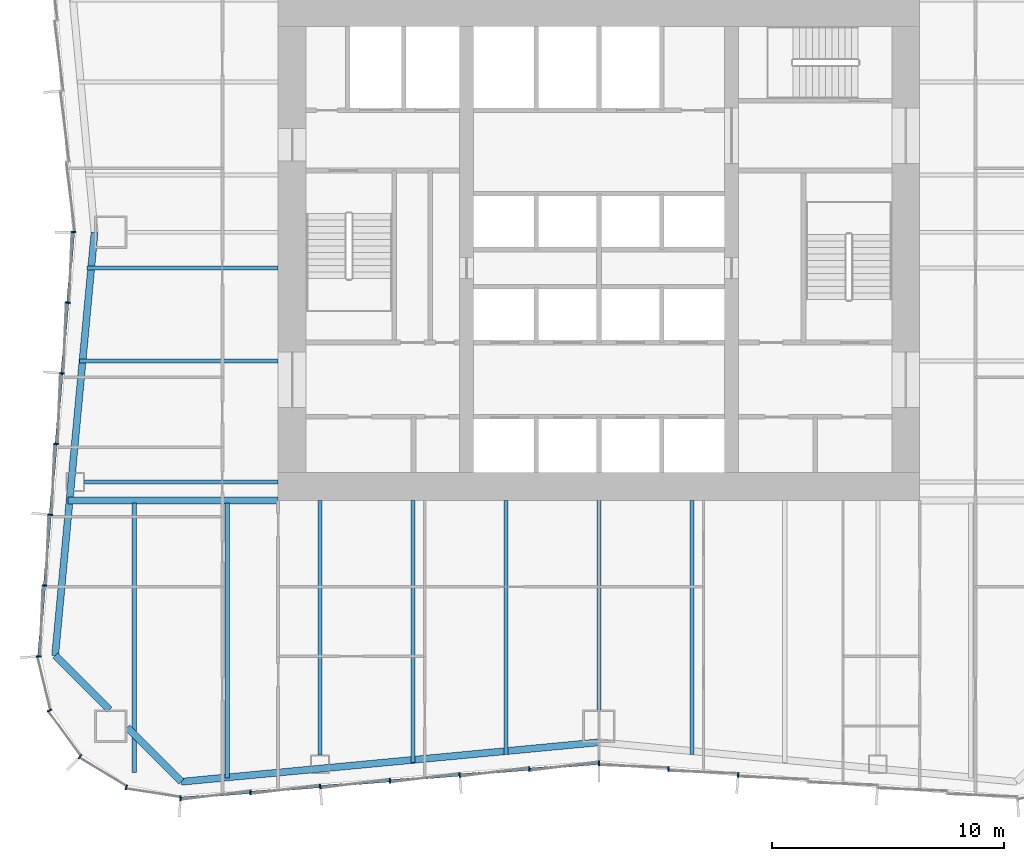
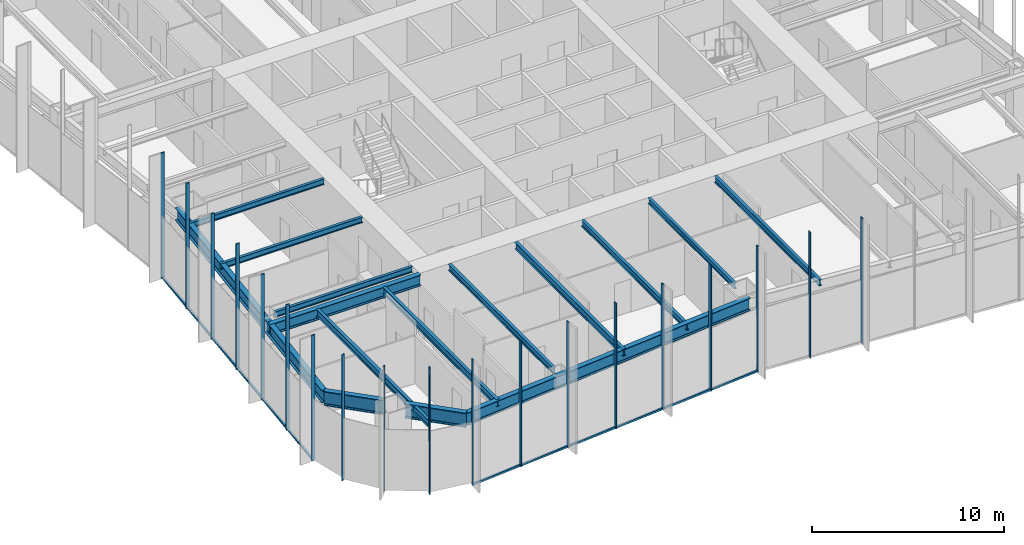
# One storey, part 2 of 13: 21 members, 15 beams, 3 elements without a shape of their own.
"""IFC4 building model written with IfcOpenShell, lengths in metres."""

import ifcopenshell
import ifcopenshell.guid

model = None  # the IFC model being written
_history = None  # IfcOwnerHistory: only IFC2X3 demands one
_inside = {}  # id of a spatial element -> (the spatial element, [elements in it])
_under = {}  # id of a project, library or spatial element -> (it, [spatial elements below it])
_declared = {}  # id of a project -> (the project, [libraries it declares])
_typed = {}  # id of a type object -> (the type object, [elements of that type])
_made_of = {}  # id of a material, layer set ... -> (it, [elements and type objects made of it])


def new_model(schema):
    """Start an empty IFC model of exactly this schema.

    Asked for "IFC4X3", IfcOpenShell would pick the latest addendum, in which some entities
    have other attributes; the version numbers below select the first issue.
    IFC2X3 requires an IfcOwnerHistory on every rooted entity: one is made here for all.
    """
    global model, _history
    if schema == "IFC4X3":
        model = ifcopenshell.file(schema_version=(4, 3, 0, 0))
    else:
        model = ifcopenshell.file(schema=schema)
    _inside.clear()
    _under.clear()
    _declared.clear()
    _typed.clear()
    _made_of.clear()
    _history = None
    if model.schema == "IFC2X3":
        org = make("IfcOrganization", Name="unknown")
        user = make(
            "IfcPersonAndOrganization",
            ThePerson=make("IfcPerson", FamilyName="unknown"),
            TheOrganization=org,
        )
        app = make(
            "IfcApplication",
            ApplicationDeveloper=org,
            Version="unknown",
            ApplicationFullName="unknown",
            ApplicationIdentifier="unknown",
        )
        _history = make(
            "IfcOwnerHistory",
            OwningUser=user,
            OwningApplication=app,
            ChangeAction="ADDED",
            CreationDate=0,
        )
    return model


def make(cls, **values):
    """One entity of the class cls with the attributes given. An attribute that is None is left unset."""
    return model.create_entity(
        cls, **{name: value for name, value in values.items() if value is not None}
    )


def rooted(cls, **values):
    """An entity with a GlobalId (a new one), such as an element, a storey or a relation."""
    return make(cls, GlobalId=ifcopenshell.guid.new(), OwnerHistory=_history, **values)


def si_unit(unit_type, name, prefix=None):
    """IfcSIUnit, for example si_unit("LENGTHUNIT", "METRE", prefix="MILLI")."""
    return make("IfcSIUnit", UnitType=unit_type, Prefix=prefix, Name=name)


def assignment(units):
    """IfcUnitAssignment: the units of a project."""
    return None if units is None else make("IfcUnitAssignment", Units=units)


def point(xyz):
    """IfcCartesianPoint."""
    return None if xyz is None else make("IfcCartesianPoint", Coordinates=xyz)


def direction(xyz):
    """IfcDirection."""
    return None if xyz is None else make("IfcDirection", DirectionRatios=xyz)


def frame(location, z_axis=None, x_axis=None):
    """IfcAxis2Placement3D, a coordinate frame: its origin and axes. An axis left out is left unset."""
    return make(
        "IfcAxis2Placement3D",
        Location=point(location),
        Axis=direction(z_axis),
        RefDirection=direction(x_axis),
    )


def frame_2d(location, x_axis=None):
    """IfcAxis2Placement2D, a coordinate frame in the plane: its origin and x axis."""
    return make(
        "IfcAxis2Placement2D", Location=point(location), RefDirection=direction(x_axis)
    )


def origin():
    """The frame at (0, 0, 0) with its axes left unset."""
    return frame((0.0, 0.0, 0.0))


def origin_2d():
    """The frame at (0, 0) in the plane with its x axis left unset."""
    return frame_2d((0.0, 0.0))


def place(relative_to, where):
    """IfcLocalPlacement: puts the frame where relative to a parent placement (None: the world)."""
    return make(
        "IfcLocalPlacement", PlacementRelTo=relative_to, RelativePlacement=where
    )


def context(
    kind, dimensions, precision=None, world=None, true_north=None, identifier=None
):
    """IfcGeometricRepresentationContext, for example the 3D "Model" context."""
    return make(
        "IfcGeometricRepresentationContext",
        ContextIdentifier=identifier,
        ContextType=kind,
        CoordinateSpaceDimension=dimensions,
        Precision=precision,
        WorldCoordinateSystem=world,
        TrueNorth=true_north,
    )


def subcontext(parent, identifier, kind, view, scale=None):
    """IfcGeometricRepresentationSubContext, for example "Body" below "Model"."""
    return make(
        "IfcGeometricRepresentationSubContext",
        ContextIdentifier=identifier,
        ContextType=kind,
        ParentContext=parent,
        TargetScale=scale,
        TargetView=view,
    )


def project(units=None, contexts=None):
    """IfcProject with its units and contexts."""
    return rooted(
        "IfcProject",
        Name="project",
        RepresentationContexts=contexts,
        UnitsInContext=assignment(units),
    )


def spatial(cls, under=None, at=None, **own):
    """A site, building, storey or space (cls), placed at a placement, below another one or the project."""
    s = rooted(cls, ObjectPlacement=at, **own)
    if under is not None:
        _under.setdefault(under.id(), (under, []))[1].append(s)
    return s


def profile(cls, at=None, kind="AREA", **sizes):
    """A parametric profile (cls). Its sizes go by their IFC names, for example OverallWidth=200.0."""
    return make(cls, ProfileType=kind, Position=at, **sizes)


def rectangle(**sizes):
    """IfcRectangleProfileDef."""
    return profile("IfcRectangleProfileDef", **sizes)


def i_section(**sizes):
    """IfcIShapeProfileDef."""
    return profile("IfcIShapeProfileDef", **sizes)


def extrude(swept, where, along, depth):
    """IfcExtrudedAreaSolid: the profile swept, set in the frame where, extruded along a direction by depth."""
    return make(
        "IfcExtrudedAreaSolid",
        SweptArea=swept,
        Position=where,
        ExtrudedDirection=direction(along),
        Depth=depth,
    )


def shape(context_of_items, identifier, shape_type, items):
    """IfcShapeRepresentation: the items that make up one representation, for example the "Body"."""
    return make(
        "IfcShapeRepresentation",
        ContextOfItems=context_of_items,
        RepresentationIdentifier=identifier,
        RepresentationType=shape_type,
        Items=items,
    )


def material(Name=None, Category=None):
    """IfcMaterial."""
    return make("IfcMaterial", Name=Name, Category=Category)


def material_profile(
    of_material, cross_section, Name=None, Category=None, Priority=None
):
    """IfcMaterialProfile: a cross section and its material."""
    return make(
        "IfcMaterialProfile",
        Name=Name,
        Material=of_material,
        Profile=cross_section,
        Priority=Priority,
        Category=Category,
    )


def profile_set(profiles, Name=None, composite=None):
    """IfcMaterialProfileSet."""
    return make(
        "IfcMaterialProfileSet",
        Name=Name,
        MaterialProfiles=profiles,
        CompositeProfile=composite,
    )


def made_of(thing, what):
    """Note that an element or type object is made of a material, layer set ...; save() writes the relation."""
    if what is not None:
        _made_of.setdefault(what.id(), (what, []))[1].append(thing)
    return thing


def type_object(cls, material=None, **own):
    """A type object (cls), such as IfcWallType, which elements share."""
    return made_of(rooted(cls, **own), material)


def element(
    cls,
    number,
    at=None,
    inside=None,
    cuts=None,
    type_object=None,
    material=None,
    context=None,
    identifier="Body",
    shape_type=None,
    held_by="IfcProductDefinitionShape",
    body=None,
    shapes=None,
    **own,
):
    """One element of the class cls, such as IfcWall. Its Tag is "e" and its number.

    at: its placement. inside: the storey or other place that contains it. cuts: it is an
    opening in that element (IfcRelVoidsElement). A single representation is given by context,
    identifier, shape_type and body (its items); several are given by shapes. held_by: the class
    of the entity that holds the representations. save() writes the other relations.
    """
    e = rooted(cls, Tag="e%d" % number, ObjectPlacement=at, **own)
    if body is not None:
        shapes = [shape(context, identifier, shape_type, body)]
    if shapes is not None:
        e.Representation = make(held_by, Representations=shapes)
    if inside is not None:
        _inside.setdefault(inside.id(), (inside, []))[1].append(e)
    if cuts is not None:
        rooted(
            "IfcRelVoidsElement", RelatingBuildingElement=cuts, RelatedOpeningElement=e
        )
    if type_object is not None:
        _typed.setdefault(type_object.id(), (type_object, []))[1].append(e)
    return made_of(e, material)


def aggregate(whole, parts):
    """IfcRelAggregates: a whole, such as a stair, and the parts it consists of."""
    return rooted("IfcRelAggregates", RelatingObject=whole, RelatedObjects=parts)


def save(model, path):
    """Write the relations noted so far, then the file.

    IfcRelAggregates (storeys below a building ...), IfcRelContainedInSpatialStructure (elements
    in a storey), IfcRelDefinesByType, IfcRelAssociatesMaterial and IfcRelDeclares: one each for
    every whole, place, type object, material and project.
    """
    for whole, parts in _under.values():
        aggregate(whole, parts)
    for where, things in _inside.values():
        rooted(
            "IfcRelContainedInSpatialStructure",
            RelatedElements=things,
            RelatingStructure=where,
        )
    for kind, things in _typed.values():
        rooted("IfcRelDefinesByType", RelatedObjects=things, RelatingType=kind)
    for what, things in _made_of.values():
        rooted("IfcRelAssociatesMaterial", RelatedObjects=things, RelatingMaterial=what)
    for by, libraries in _declared.values():
        rooted("IfcRelDeclares", RelatingContext=by, RelatedDefinitions=libraries)
    model.write(path)


model = new_model("IFC4")

# Units and contexts
model_context = context("Model", 3, precision=1e-05, world=origin(), true_north=direction((0.0, 1.0)))
body_context = subcontext(model_context, "Body", "Model", "MODEL_VIEW")
ifc_project = project(units=[si_unit("LENGTHUNIT", "METRE"), si_unit("AREAUNIT", "SQUARE_METRE"), si_unit("VOLUMEUNIT", "CUBIC_METRE"), si_unit("PLANEANGLEUNIT", "RADIAN"), si_unit("MASSUNIT", "GRAM", prefix="KILO")], contexts=[model_context])

# Site, building, storey
site_placement = place(None, origin())
site = spatial("IfcSite", under=ifc_project, at=site_placement, CompositionType="ELEMENT")
building_placement = place(site_placement, origin())
building = spatial("IfcBuilding", under=site, at=building_placement, Name="Verdant Reach Tower", CompositionType="ELEMENT")
storey_placement = place(building_placement, frame((0.0, 0.0, 106.0)))
storey = spatial("IfcBuildingStorey", under=building, at=storey_placement, Name="L24", CompositionType="ELEMENT", Elevation=106.0)

# Curtain wall, members
ifc_material_1 = material(Name="Anodised aluminium", Category="aluminium")
curtain_wall_type = type_object("IfcCurtainWallType", Name="EN-CW SYSTEM Z1", PredefinedType="NOTDEFINED", material=ifc_material_1)
curtain_wall_1_placement = place(storey_placement, origin())
curtain_wall_1 = element("IfcCurtainWall", 1, at=curtain_wall_1_placement, inside=storey, type_object=curtain_wall_type, Name="Curtain wall west, L24", PredefinedType="NOTDEFINED")
ifc_material_profile_1 = material_profile(ifc_material_1, rectangle(XDim=0.2060546875, YDim=0.06201171875, at=origin_2d()), Name="Mullion 62x206")
ifc_profile_set_1 = profile_set([ifc_material_profile_1], Name="Anodised aluminium")
member_type_1 = type_object("IfcMemberType", Name="EN-MULLION Z1", PredefinedType="MULLION", material=ifc_profile_set_1)
member_1_placement = place(storey_placement, frame((-22.60302734375, 28.75, -0.35009765625), z_axis=(0.0, 0.0, 1.0), x_axis=(-1.0, 0.0, 0.0)))
member_1 = element("IfcMember", 2, at=member_1_placement, type_object=member_type_1, Name="Mullion west face part 2 1, L24", PredefinedType="MULLION", context=body_context, shape_type="SweptSolid", body=[
    extrude(rectangle(XDim=0.2060546875, YDim=0.06201171875, at=origin_2d()), origin(), (0.0, 0.0, 1.0), 8.0),
])
member_2_placement = place(storey_placement, frame((-22.8525390625, 25.716796875, -0.35009765625), z_axis=(0.0, 0.0, 1.0), x_axis=(-0.996639273542, 0.081915556724, 0.0)))
member_2 = element("IfcMember", 3, at=member_2_placement, type_object=member_type_1, Name="Mullion west face part 2 2, L24", PredefinedType="MULLION", context=body_context, shape_type="SweptSolid", body=[
    extrude(rectangle(XDim=0.2060546875, YDim=0.06201171875, at=origin_2d()), origin(), (0.0, 0.0, 1.0), 8.0),
])
member_3_placement = place(storey_placement, frame((-23.1025390625, 22.675048828125, -0.35009765625), z_axis=(0.0, 0.0, 1.0), x_axis=(-0.996639273542, 0.081915556724, 0.0)))
member_3 = element("IfcMember", 4, at=member_3_placement, type_object=member_type_1, Name="Mullion west face part 2 3, L24", PredefinedType="MULLION", context=body_context, shape_type="SweptSolid", body=[
    extrude(rectangle(XDim=0.2060546875, YDim=0.06201171875, at=origin_2d()), origin(), (0.0, 0.0, 1.0), 8.0),
])
member_4_placement = place(storey_placement, frame((-23.3525390625, 19.633544921875, -0.35009765625), z_axis=(0.0, 0.0, 1.0), x_axis=(-0.996639273542, 0.081915556724, 0.0)))
member_4 = element("IfcMember", 5, at=member_4_placement, type_object=member_type_1, Name="Mullion west face part 2 4, L24", PredefinedType="MULLION", context=body_context, shape_type="SweptSolid", body=[
    extrude(rectangle(XDim=0.2060546875, YDim=0.06201171875, at=origin_2d()), origin(), (0.0, 0.0, 1.0), 8.0),
])
member_5_placement = place(storey_placement, frame((-23.6025390625, 16.591796875, -0.35009765625), z_axis=(0.0, 0.0, 1.0), x_axis=(-0.996639273542, 0.081915556724, 0.0)))
member_5 = element("IfcMember", 6, at=member_5_placement, type_object=member_type_1, Name="Mullion west face part 2 5, L24", PredefinedType="MULLION", context=body_context, shape_type="SweptSolid", body=[
    extrude(rectangle(XDim=0.2060546875, YDim=0.06201171875, at=origin_2d()), origin(), (0.0, 0.0, 1.0), 8.0),
])
member_6_placement = place(storey_placement, frame((-23.8525390625, 13.550048828125, -0.35009765625), z_axis=(0.0, 0.0, 1.0), x_axis=(-0.996639273542, 0.081915556724, 0.0)))
member_6 = element("IfcMember", 7, at=member_6_placement, type_object=member_type_1, Name="Mullion west face part 2 6, L24", PredefinedType="MULLION", context=body_context, shape_type="SweptSolid", body=[
    extrude(rectangle(XDim=0.2060546875, YDim=0.06201171875, at=origin_2d()), origin(), (0.0, 0.0, 1.0), 8.0),
])

curtain_wall_2_placement = place(storey_placement, origin())
curtain_wall_2 = element("IfcCurtainWall", 8, at=curtain_wall_2_placement, inside=storey, type_object=curtain_wall_type, Name="Curtain wall south-west corner, L24", PredefinedType="NOTDEFINED")
member_7_placement = place(storey_placement, frame((-24.102783203125, 10.494140625, -0.35009765625), z_axis=(0.0, 0.0, 1.0), x_axis=(-0.998366452275, -0.057135164055, 0.0)))
member_7 = element("IfcMember", 9, at=member_7_placement, type_object=member_type_1, Name="Mullion south-west corner 1, L24", PredefinedType="MULLION", context=body_context, shape_type="SweptSolid", body=[
    extrude(rectangle(XDim=0.2060546875, YDim=0.06201171875, at=origin_2d()), origin(), (0.0, 0.0, 1.0), 8.0),
])
member_8_placement = place(storey_placement, frame((-23.638427734375, 8.16455078125, -0.35009765625), z_axis=(0.0, 0.0, 1.0), x_axis=(-0.923875215753, -0.382693853776, 0.0)))
member_8 = element("IfcMember", 10, at=member_8_placement, type_object=member_type_1, Name="Mullion south-west corner 2, L24", PredefinedType="MULLION", context=body_context, shape_type="SweptSolid", body=[
    extrude(rectangle(XDim=0.2060546875, YDim=0.06201171875, at=origin_2d()), origin(), (0.0, 0.0, 1.0), 8.0),
])
member_9_placement = place(storey_placement, frame((-22.3154296875, 6.1845703125, -0.35009765625), z_axis=(0.0, 0.0, 1.0), x_axis=(-0.707106781187, -0.707106781187, 0.0)))
member_9 = element("IfcMember", 11, at=member_9_placement, type_object=member_type_1, Name="Mullion south-west corner 3, L24", PredefinedType="MULLION", context=body_context, shape_type="SweptSolid", body=[
    extrude(rectangle(XDim=0.2060546875, YDim=0.06201171875, at=origin_2d()), origin(), (0.0, 0.0, 1.0), 8.0),
])
member_10_placement = place(storey_placement, frame((-20.33544921875, 4.861572265625, -0.35009765625), z_axis=(0.0, 0.0, 1.0), x_axis=(-0.382693853776, -0.923875215753, 0.0)))
member_10 = element("IfcMember", 12, at=member_10_placement, type_object=member_type_1, Name="Mullion south-west corner 4, L24", PredefinedType="MULLION", context=body_context, shape_type="SweptSolid", body=[
    extrude(rectangle(XDim=0.2060546875, YDim=0.06201171875, at=origin_2d()), origin(), (0.0, 0.0, 1.0), 8.0),
])
aggregate(curtain_wall_2, [member_7, member_8, member_9, member_10])

curtain_wall_3_placement = place(storey_placement, origin())
curtain_wall_3 = element("IfcCurtainWall", 13, at=curtain_wall_3_placement, inside=storey, type_object=curtain_wall_type, Name="Curtain wall south, L24", PredefinedType="NOTDEFINED")
member_11_placement = place(storey_placement, frame((-18.005859375, 4.397216796875, -0.35009765625), z_axis=(0.0, 0.0, 1.0), x_axis=(-0.056569187765, -0.998398681387, 0.0)))
member_11 = element("IfcMember", 14, at=member_11_placement, type_object=member_type_1, Name="Mullion south face part 1 1, L24", PredefinedType="MULLION", context=body_context, shape_type="SweptSolid", body=[
    extrude(rectangle(XDim=0.2060546875, YDim=0.06201171875, at=origin_2d()), origin(), (0.0, 0.0, 1.0), 8.0),
])
member_12_placement = place(storey_placement, frame((-14.991455078125, 4.6474609375, -0.35009765625), z_axis=(0.0, 0.0, 1.0), x_axis=(0.083045479859, -0.996545758244, 0.0)))
member_12 = element("IfcMember", 15, at=member_12_placement, type_object=member_type_1, Name="Mullion south face part 1 2, L24", PredefinedType="MULLION", context=body_context, shape_type="SweptSolid", body=[
    extrude(rectangle(XDim=0.2060546875, YDim=0.06201171875, at=origin_2d()), origin(), (0.0, 0.0, 1.0), 8.0),
])
member_13_placement = place(storey_placement, frame((-11.991455078125, 4.8974609375, -0.35009765625), z_axis=(0.0, 0.0, 1.0), x_axis=(0.083045479859, -0.996545758244, 0.0)))
member_13 = element("IfcMember", 16, at=member_13_placement, type_object=member_type_1, Name="Mullion south face part 1 3, L24", PredefinedType="MULLION", context=body_context, shape_type="SweptSolid", body=[
    extrude(rectangle(XDim=0.2060546875, YDim=0.06201171875, at=origin_2d()), origin(), (0.0, 0.0, 1.0), 8.0),
])
member_14_placement = place(storey_placement, frame((-8.991455078125, 5.1474609375, -0.35009765625), z_axis=(0.0, 0.0, 1.0), x_axis=(0.083045479859, -0.996545758244, 0.0)))
member_14 = element("IfcMember", 17, at=member_14_placement, type_object=member_type_1, Name="Mullion south face part 1 4, L24", PredefinedType="MULLION", context=body_context, shape_type="SweptSolid", body=[
    extrude(rectangle(XDim=0.2060546875, YDim=0.06201171875, at=origin_2d()), origin(), (0.0, 0.0, 1.0), 8.0),
])
member_15_placement = place(storey_placement, frame((-5.991455078125, 5.3974609375, -0.35009765625), z_axis=(0.0, 0.0, 1.0), x_axis=(0.083045479859, -0.996545758244, 0.0)))
member_15 = element("IfcMember", 18, at=member_15_placement, type_object=member_type_1, Name="Mullion south face part 1 5, L24", PredefinedType="MULLION", context=body_context, shape_type="SweptSolid", body=[
    extrude(rectangle(XDim=0.2060546875, YDim=0.06201171875, at=origin_2d()), origin(), (0.0, 0.0, 1.0), 8.0),
])
member_16_placement = place(storey_placement, frame((-2.991455078125, 5.6474609375, -0.35009765625), z_axis=(0.0, 0.0, 1.0), x_axis=(0.083045479859, -0.996545758244, 0.0)))
member_16 = element("IfcMember", 19, at=member_16_placement, type_object=member_type_1, Name="Mullion south face part 1 6, L24", PredefinedType="MULLION", context=body_context, shape_type="SweptSolid", body=[
    extrude(rectangle(XDim=0.2060546875, YDim=0.06201171875, at=origin_2d()), origin(), (0.0, 0.0, 1.0), 8.0),
])
member_17_placement = place(storey_placement, frame((0.0, 5.89697265625, -0.35009765625), z_axis=(0.0, 0.0, 1.0), x_axis=(0.0, -1.0, 0.0)))
member_17 = element("IfcMember", 20, at=member_17_placement, type_object=member_type_1, Name="Mullion south face part 2 1, L24", PredefinedType="MULLION", context=body_context, shape_type="SweptSolid", body=[
    extrude(rectangle(XDim=0.2060546875, YDim=0.06201171875, at=origin_2d()), origin(), (0.0, 0.0, 1.0), 8.0),
])
member_18_placement = place(storey_placement, frame((2.991455078125, 5.6474609375, -0.35009765625), z_axis=(0.0, 0.0, 1.0), x_axis=(-0.083045479859, -0.996545758244, 0.0)))
member_18 = element("IfcMember", 21, at=member_18_placement, type_object=member_type_1, Name="Mullion south face part 2 2, L24", PredefinedType="MULLION", context=body_context, shape_type="SweptSolid", body=[
    extrude(rectangle(XDim=0.2060546875, YDim=0.06201171875, at=origin_2d()), origin(), (0.0, 0.0, 1.0), 8.0),
])
member_19_placement = place(storey_placement, frame((5.991455078125, 5.3974609375, -0.35009765625), z_axis=(0.0, 0.0, 1.0), x_axis=(-0.083045479859, -0.996545758244, 0.0)))
member_19 = element("IfcMember", 22, at=member_19_placement, type_object=member_type_1, Name="Mullion south face part 2 3, L24", PredefinedType="MULLION", context=body_context, shape_type="SweptSolid", body=[
    extrude(rectangle(XDim=0.2060546875, YDim=0.06201171875, at=origin_2d()), origin(), (0.0, 0.0, 1.0), 8.0),
])

# Member
ifc_material_profile_2 = material_profile(ifc_material_1, rectangle(XDim=0.10009765625, YDim=0.1220703125, at=origin_2d()), Name="Transom 122x100")
ifc_profile_set_2 = profile_set([ifc_material_profile_2], Name="Anodised aluminium")
member_type_2 = type_object("IfcMemberType", Name="EN-TRANSOM Z1", PredefinedType="USERDEFINED", material=ifc_profile_set_2)
member_20_placement = place(storey_placement, frame((-22.60546875, 28.718994140625, -0.2890625), z_axis=(-0.081886623329, -0.996641651207, 0.0), x_axis=(0.996641651207, -0.081886623329, 0.0)))
member_20 = element("IfcMember", 23, at=member_20_placement, type_object=member_type_2, Name="Transom west face part 2 1.1, L24", ObjectType="TRANSOM", PredefinedType="USERDEFINED", context=body_context, shape_type="SweptSolid", body=[
    extrude(rectangle(XDim=0.10009765625, YDim=0.1220703125, at=origin_2d()), origin(), (0.0, 0.0, 1.0), 18.25537109375),
])

aggregate(curtain_wall_1, [member_1, member_2, member_3, member_4, member_5, member_6, member_20])

member_21_placement = place(storey_placement, frame((-17.974853515625, 4.399658203125, -0.2890625), z_axis=(0.996547815143, 0.083020793384, 0.0), x_axis=(-0.083020793384, 0.996547815143, 0.0)))
member_21 = element("IfcMember", 24, at=member_21_placement, type_object=member_type_2, Name="Transom south face part 1 1.1, L24", ObjectType="TRANSOM", PredefinedType="USERDEFINED", context=body_context, shape_type="SweptSolid", body=[
    extrude(rectangle(XDim=0.10009765625, YDim=0.1220703125, at=origin_2d()), origin(), (0.0, 0.0, 1.0), 18.006103515625),
])

aggregate(curtain_wall_3, [member_11, member_12, member_13, member_14, member_15, member_16, member_21, member_17, member_18, member_19])

# Beams
ifc_material_2 = material(Name="Steel S355", Category="steel")
ifc_material_profile_3 = material_profile(ifc_material_2, i_section(OverallWidth=0.300048828125, OverallDepth=0.699951171875, WebThickness=0.01708984375, FlangeThickness=0.031982421875, FilletRadius=0.027099609375, at=origin_2d()), Name="HEB 700")
ifc_profile_set_3 = profile_set([ifc_material_profile_3], Name="Steel S355")
beam_type_1 = type_object("IfcBeamType", Name="ST-BEAM-HEB700", PredefinedType="BEAM", material=ifc_profile_set_3)
beam_1_placement = place(storey_placement, frame((-13.800048828125, 17.199951171875, 3.52001953125), z_axis=(-1.0, 0.0, 0.0), x_axis=(0.0, -1.0, 0.0)))
element("IfcBeam", 25, at=beam_1_placement, inside=storey, type_object=beam_type_1, Name="Trimmer beam, L24", PredefinedType="BEAM", context=body_context, shape_type="SweptSolid", body=[
    extrude(i_section(OverallWidth=0.300048828125, OverallDepth=0.699951171875, WebThickness=0.01708984375, FlangeThickness=0.031982421875, FilletRadius=0.027099609375, at=origin_2d()), origin(), (0.0, 0.0, 1.0), 9.04736328125),
])
ifc_material_profile_4 = material_profile(ifc_material_2, i_section(OverallWidth=0.169921875, OverallDepth=0.360107421875, WebThickness=0.008056640625, FlangeThickness=0.0126953125, FilletRadius=0.01806640625, at=origin_2d()), Name="IPE 360")
ifc_profile_set_4 = profile_set([ifc_material_profile_4], Name="Steel S355")
beam_type_2 = type_object("IfcBeamType", Name="ST-JOIST-IPE360", PredefinedType="JOIST", material=ifc_profile_set_4)
beam_2_placement = place(storey_placement, frame((0.0, 17.199951171875, 3.68994140625), z_axis=(0.0, -1.0, 0.0), x_axis=(1.0, 0.0, 0.0)))
element("IfcBeam", 26, at=beam_2_placement, inside=storey, type_object=beam_type_2, Name="Floor joist, L24", PredefinedType="JOIST", context=body_context, shape_type="SweptSolid", body=[
    extrude(i_section(OverallWidth=0.169921875, OverallDepth=0.360107421875, WebThickness=0.008056640625, FlangeThickness=0.0126953125, FilletRadius=0.01806640625, at=origin_2d()), origin(), (0.0, 0.0, 1.0), 9.0),
])
beam_3_placement = place(storey_placement, frame((-13.800048828125, 18.0, 3.68994140625), z_axis=(-1.0, 0.0, 0.0), x_axis=(0.0, -1.0, 0.0)))
element("IfcBeam", 27, at=beam_3_placement, inside=storey, type_object=beam_type_2, Name="Floor joist, L24", PredefinedType="JOIST", context=body_context, shape_type="SweptSolid", body=[
    extrude(i_section(OverallWidth=0.169921875, OverallDepth=0.360107421875, WebThickness=0.008056640625, FlangeThickness=0.0126953125, FilletRadius=0.01806640625, at=origin_2d()), origin(), (0.0, 0.0, 1.0), 8.33349609375),
])
beam_4_placement = place(storey_placement, frame((-13.800048828125, 23.199951171875, 3.68994140625), z_axis=(-1.0, 0.0, 0.0), x_axis=(0.0, -1.0, 0.0)))
element("IfcBeam", 28, at=beam_4_placement, inside=storey, type_object=beam_type_2, Name="Floor joist, L24", PredefinedType="JOIST", context=body_context, shape_type="SweptSolid", body=[
    extrude(i_section(OverallWidth=0.169921875, OverallDepth=0.360107421875, WebThickness=0.008056640625, FlangeThickness=0.0126953125, FilletRadius=0.01806640625, at=origin_2d()), origin(), (0.0, 0.0, 1.0), 8.553955078125),
])
beam_5_placement = place(storey_placement, frame((-13.800048828125, 27.199951171875, 3.68994140625), z_axis=(-1.0, 0.0, 0.0), x_axis=(0.0, -1.0, 0.0)))
element("IfcBeam", 29, at=beam_5_placement, inside=storey, type_object=beam_type_2, Name="Floor joist, L24", PredefinedType="JOIST", context=body_context, shape_type="SweptSolid", body=[
    extrude(i_section(OverallWidth=0.169921875, OverallDepth=0.360107421875, WebThickness=0.008056640625, FlangeThickness=0.0126953125, FilletRadius=0.01806640625, at=origin_2d()), origin(), (0.0, 0.0, 1.0), 8.225341796875),
])
ifc_material_profile_5 = material_profile(ifc_material_2, i_section(OverallWidth=0.179931640625, OverallDepth=0.39990234375, WebThickness=0.008544921875, FlangeThickness=0.013427734375, FilletRadius=0.02099609375, at=origin_2d()), Name="IPE 400")
ifc_profile_set_5 = profile_set([ifc_material_profile_5], Name="Steel S355")
beam_type_3 = type_object("IfcBeamType", Name="ST-JOIST-IPE400", PredefinedType="JOIST", material=ifc_profile_set_5)
beam_6_placement = place(storey_placement, frame((-12.0, 17.199951171875, 3.669921875), z_axis=(0.0, -1.0, 0.0), x_axis=(1.0, 0.0, 0.0)))
element("IfcBeam", 30, at=beam_6_placement, inside=storey, type_object=beam_type_3, Name="Floor joist, L24", PredefinedType="JOIST", context=body_context, shape_type="SweptSolid", body=[
    extrude(i_section(OverallWidth=0.179931640625, OverallDepth=0.39990234375, WebThickness=0.008544921875, FlangeThickness=0.013427734375, FilletRadius=0.02099609375, at=origin_2d()), origin(), (0.0, 0.0, 1.0), 10.949951171875),
])
for number, where, z_axis, x_axis, name in (
    (31, (-4.0, 17.199951171875, 3.669921875), (0.0, -1.0, 0.0), (1.0, 0.0, 0.0), "Floor joist, L24"),
    (32, (4.0, 17.199951171875, 3.669921875), (0.0, -1.0, 0.0), (1.0, 0.0, 0.0), "Floor joist, L24"),
):
    element("IfcBeam", number, at=place(storey_placement, frame(where, z_axis=z_axis, x_axis=x_axis)), inside=storey, type_object=beam_type_3, Name=name, PredefinedType="JOIST", context=body_context, shape_type="SweptSolid", body=[
        extrude(i_section(OverallWidth=0.179931640625, OverallDepth=0.39990234375, WebThickness=0.008544921875, FlangeThickness=0.013427734375, FilletRadius=0.02099609375, at=origin_2d()), origin(), (0.0, 0.0, 1.0), 10.93115234375),
    ])
ifc_material_profile_6 = material_profile(ifc_material_2, i_section(OverallWidth=0.18994140625, OverallDepth=0.449951171875, WebThickness=0.009521484375, FlangeThickness=0.0146484375, FilletRadius=0.02099609375, at=origin_2d()), Name="IPE 450")
ifc_profile_set_6 = profile_set([ifc_material_profile_6], Name="Steel S355")
beam_type_4 = type_object("IfcBeamType", Name="ST-JOIST-IPE450", PredefinedType="JOIST", material=ifc_profile_set_6)
beam_7_placement = place(storey_placement, frame((-20.0, 17.10009765625, 3.64501953125), z_axis=(0.0, -1.0, 0.0), x_axis=(1.0, 0.0, 0.0)))
element("IfcBeam", 33, at=beam_7_placement, inside=storey, type_object=beam_type_4, Name="Floor joist, L24", PredefinedType="JOIST", context=body_context, shape_type="SweptSolid", body=[
    extrude(i_section(OverallWidth=0.18994140625, OverallDepth=0.449951171875, WebThickness=0.009521484375, FlangeThickness=0.0146484375, FilletRadius=0.02099609375, at=origin_2d()), origin(), (0.0, 0.0, 1.0), 11.590576171875),
])
beam_8_placement = place(storey_placement, frame((-16.0, 17.10009765625, 3.64501953125), z_axis=(0.0, -1.0, 0.0), x_axis=(1.0, 0.0, 0.0)))
element("IfcBeam", 34, at=beam_8_placement, inside=storey, type_object=beam_type_4, Name="Floor joist, L24", PredefinedType="JOIST", context=body_context, shape_type="SweptSolid", body=[
    extrude(i_section(OverallWidth=0.18994140625, OverallDepth=0.449951171875, WebThickness=0.009521484375, FlangeThickness=0.0146484375, FilletRadius=0.02099609375, at=origin_2d()), origin(), (0.0, 0.0, 1.0), 11.831298828125),
])
beam_9_placement = place(storey_placement, frame((-8.0, 17.199951171875, 3.64501953125), z_axis=(0.0, -1.0, 0.0), x_axis=(1.0, 0.0, 0.0)))
element("IfcBeam", 35, at=beam_9_placement, inside=storey, type_object=beam_type_4, Name="Floor joist, L24", PredefinedType="JOIST", context=body_context, shape_type="SweptSolid", body=[
    extrude(i_section(OverallWidth=0.18994140625, OverallDepth=0.449951171875, WebThickness=0.009521484375, FlangeThickness=0.0146484375, FilletRadius=0.02099609375, at=origin_2d()), origin(), (0.0, 0.0, 1.0), 11.2646484375),
])
ifc_material_profile_7 = material_profile(ifc_material_2, i_section(OverallWidth=0.300048828125, OverallDepth=0.800048828125, WebThickness=0.017578125, FlangeThickness=0.032958984375, FilletRadius=0.030029296875, at=origin_2d()), Name="HEB 800")
ifc_profile_set_7 = profile_set([ifc_material_profile_7], Name="Steel S355")
beam_type_5 = type_object("IfcBeamType", Name="ST-SPANDREL-HEB800", PredefinedType="SPANDREL", material=ifc_profile_set_7)
beam_10_placement = place(storey_placement, frame((0.0, 6.800048828125, 3.469970703125), z_axis=(-0.995578571765, -0.093932462137, 0.0), x_axis=(0.093932462137, -0.995578571765, 0.0)))
element("IfcBeam", 36, at=beam_10_placement, inside=storey, type_object=beam_type_5, Name="Edge beam, L24", PredefinedType="SPANDREL", context=body_context, shape_type="SweptSolid", body=[
    extrude(i_section(OverallWidth=0.300048828125, OverallDepth=0.800048828125, WebThickness=0.017578125, FlangeThickness=0.032958984375, FilletRadius=0.030029296875, at=origin_2d()), origin(), (0.0, 0.0, 1.0), 18.045654296875),
])
beam_11_placement = place(storey_placement, frame((-23.39501953125, 10.53466796875, 3.469970703125), z_axis=(0.092656907618, 0.995698095544, 0.0), x_axis=(-0.995698095544, 0.092656907618, 0.0)))
element("IfcBeam", 37, at=beam_11_placement, inside=storey, type_object=beam_type_5, Name="Edge beam, L24", PredefinedType="SPANDREL", context=body_context, shape_type="SweptSolid", body=[
    extrude(i_section(OverallWidth=0.300048828125, OverallDepth=0.800048828125, WebThickness=0.017578125, FlangeThickness=0.032958984375, FilletRadius=0.030029296875, at=origin_2d()), origin(), (0.0, 0.0, 1.0), 18.2939453125),
])
ifc_material_profile_8 = material_profile(ifc_material_2, i_section(OverallWidth=0.302001953125, OverallDepth=0.909912109375, WebThickness=0.02099609375, FlangeThickness=0.0400390625, FilletRadius=0.030029296875, at=origin_2d()), Name="HEM 900")
ifc_profile_set_8 = profile_set([ifc_material_profile_8], Name="Steel S355")
beam_type_6 = type_object("IfcBeamType", Name="ST-SPANDREL-HEM900", PredefinedType="SPANDREL", material=ifc_profile_set_8)
beam_12_placement = place(storey_placement, frame((-17.9658203125, 5.10498046875, 3.4150390625), z_axis=(-0.707106781187, 0.707106781187, 0.0), x_axis=(-0.707106781187, -0.707106781187, 0.0)))
element("IfcBeam", 38, at=beam_12_placement, inside=storey, type_object=beam_type_6, Name="Edge beam, L24", PredefinedType="SPANDREL", context=body_context, shape_type="SweptSolid", body=[
    extrude(i_section(OverallWidth=0.302001953125, OverallDepth=0.909912109375, WebThickness=0.02099609375, FlangeThickness=0.0400390625, FilletRadius=0.030029296875, at=origin_2d()), origin(), (0.0, 0.0, 1.0), 3.301025390625),
])
beam_13_placement = place(storey_placement, frame((-21.060546875, 8.199951171875, 3.4150390625), z_axis=(-0.707069807316, 0.707143753123, 0.0), x_axis=(-0.707143753123, -0.707069807316, 0.0)))
element("IfcBeam", 39, at=beam_13_placement, inside=storey, type_object=beam_type_6, Name="Edge beam, L24", PredefinedType="SPANDREL", context=body_context, shape_type="SweptSolid", body=[
    extrude(i_section(OverallWidth=0.302001953125, OverallDepth=0.909912109375, WebThickness=0.02099609375, FlangeThickness=0.0400390625, FilletRadius=0.030029296875, at=origin_2d()), origin(), (0.0, 0.0, 1.0), 3.301513671875),
])

save(model, "model.ifc")
